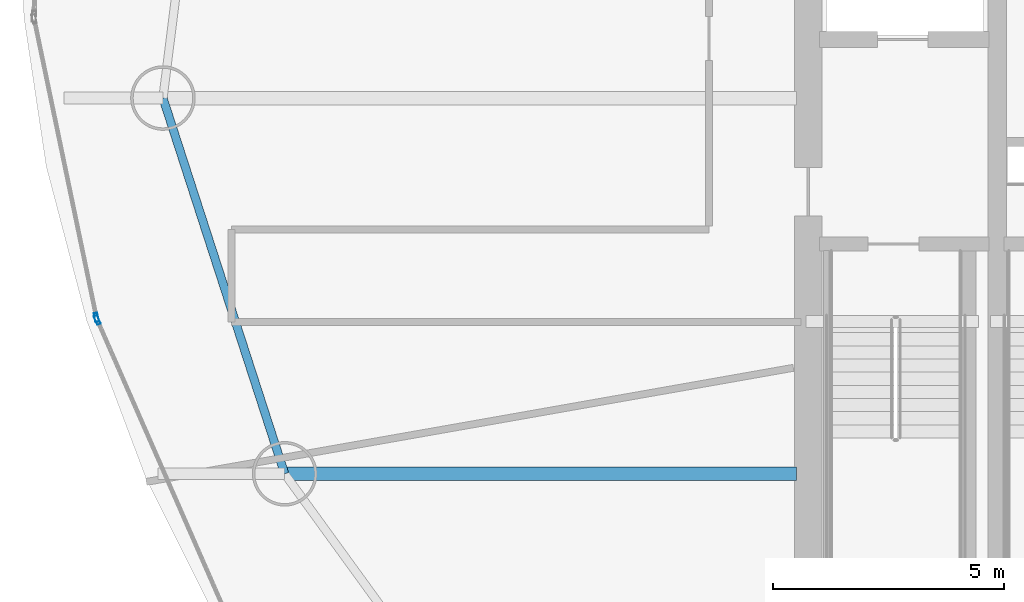
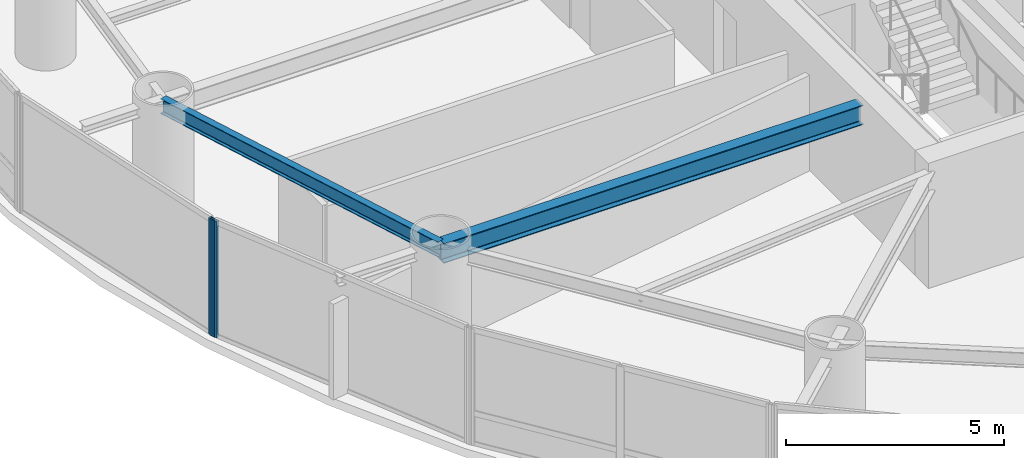
# One storey, part 6 of 23: 2 beams, 2 members, 2 elements without a shape of their own.
"""IFC4 building model written with IfcOpenShell, lengths in metres."""

from ifc_helpers import new_model, si_unit, direction, frame, origin, origin_2d, place, context, subcontext, project, spatial, hollow_rectangle, i_section, extrude, material, layer, layer_set, material_profile, profile_set, type_object, element, aggregate, save


model = new_model("IFC4")

# Units and contexts
model_context = context("Model", 3, precision=1e-05, world=origin(), true_north=direction((0.0, 1.0)))
body_context = subcontext(model_context, "Body", "Model", "MODEL_VIEW")
ifc_project = project(units=[si_unit("LENGTHUNIT", "METRE"), si_unit("AREAUNIT", "SQUARE_METRE"), si_unit("VOLUMEUNIT", "CUBIC_METRE"), si_unit("PLANEANGLEUNIT", "RADIAN"), si_unit("MASSUNIT", "GRAM", prefix="KILO")], contexts=[model_context])

# Site, building, storey
site_placement = place(None, origin())
site = spatial("IfcSite", under=ifc_project, at=site_placement, CompositionType="ELEMENT")
building_placement = place(site_placement, origin())
building = spatial("IfcBuilding", under=site, at=building_placement, Name="Bramvorn Convention Spire", CompositionType="ELEMENT")
storey_placement = place(building_placement, frame((0.0, 0.0, 158.800048828125)))
storey = spatial("IfcBuildingStorey", under=building, at=storey_placement, Name="L40", CompositionType="ELEMENT", Elevation=158.800048828125)

# Beams
ifc_material_1 = material(Name="Steel CSA G40.21 Grade 350 (350W)", Category="steel")
ifc_material_profile_1 = material_profile(ifc_material_1, i_section(OverallWidth=0.180908203125, OverallDepth=0.4169921875, WebThickness=0.010986328125, FlangeThickness=0.018310546875, FilletRadius=0.01611328125, at=origin_2d()))
ifc_profile_set_1 = profile_set([ifc_material_profile_1], Name="Steel CSA G40.21 Grade 350 (350W) - W410X85")
beam_type_1 = type_object("IfcBeamType", Name="BM-W410X85", PredefinedType="JOIST", material=ifc_profile_set_1)
beam_1_placement = place(storey_placement, frame((13.016357421875, 29.851806640625, 3.051513671875), z_axis=(0.308114853612, -0.951349166701, 0.0), x_axis=(0.951349166701, 0.308114853612, 0.0)))
element("IfcBeam", 1, at=beam_1_placement, inside=storey, type_object=beam_type_1, Name="L40 mega-column ring beam 10", PredefinedType="JOIST", context=body_context, shape_type="SweptSolid", body=[
    extrude(i_section(OverallWidth=0.180908203125, OverallDepth=0.4169921875, WebThickness=0.010986328125, FlangeThickness=0.018310546875, FilletRadius=0.01611328125, at=origin_2d()), origin(), (0.0, 0.0, 1.0), 8.5615234375),
])
ifc_material_profile_2 = material_profile(ifc_material_1, i_section(OverallWidth=0.2919921875, OverallDepth=0.551025390625, WebThickness=0.01513671875, FlangeThickness=0.0244140625, FilletRadius=0.01904296875, at=origin_2d()))
ifc_profile_set_2 = profile_set([ifc_material_profile_2], Name="Steel CSA G40.21 Grade 350 (350W) - W530X182")
beam_type_2 = type_object("IfcBeamType", Name="BM-W530X182", PredefinedType="BEAM", material=ifc_profile_set_2)
beam_2_placement = place(storey_placement, frame((26.75, 21.706787109375, 2.984375), z_axis=(-1.0, 0.0, 0.0), x_axis=(0.0, -1.0, 0.0)))
element("IfcBeam", 2, at=beam_2_placement, inside=storey, type_object=beam_type_2, Name="L40 radial floor girder MC11", PredefinedType="BEAM", context=body_context, shape_type="SweptSolid", body=[
    extrude(i_section(OverallWidth=0.2919921875, OverallDepth=0.551025390625, WebThickness=0.01513671875, FlangeThickness=0.0244140625, FilletRadius=0.01904296875, at=origin_2d()), origin(), (0.0, 0.0, 1.0), 11.095703125),
])

# Curtain wall, member
ifc_material_2 = material(Name="Anodised Bronze Unitised Curtain Wall", Category="aluminium")
ifc_layer = layer(ifc_material_2, 0.179931640625)
ifc_layer_set = layer_set([ifc_layer], Name="Anodised Bronze Unitised Curtain Wall - CW-HTL-FRIT")
curtain_wall_type = type_object("IfcCurtainWallType", Name="CW-HTL-FRIT", PredefinedType="USERDEFINED", material=ifc_layer_set)
curtain_wall_1_placement = place(storey_placement, origin())
curtain_wall_1 = element("IfcCurtainWall", 3, at=curtain_wall_1_placement, inside=storey, type_object=curtain_wall_type, Name="L40 fritted glass curtain wall 15", ObjectType="UNITISED CURTAIN WALL", PredefinedType="USERDEFINED")
ifc_material_3 = material(Name="Anodised Bronze Aluminium 6063-T6", Category="aluminium")
ifc_material_profile_3 = material_profile(ifc_material_3, hollow_rectangle(XDim=0.080078125, YDim=0.199951171875, WallThickness=0.00390625, InnerFilletRadius=0.0009765625, OuterFilletRadius=0.00390625, at=origin_2d()))
ifc_profile_set_3 = profile_set([ifc_material_profile_3], Name="Anodised Bronze Aluminium 6063-T6 - CWM80X200")
member_type = type_object("IfcMemberType", Name="CW-MUL-180", PredefinedType="MULLION", material=ifc_profile_set_3)
member_1_placement = place(storey_placement, frame((11.573974609375, 25.0966796875, 0.0), z_axis=(0.0, 0.0, 1.0), x_axis=(-0.978913587257, -0.204274787194, 0.0)))
member_1 = element("IfcMember", 4, at=member_1_placement, type_object=member_type, Name="CW2 mullion 1", PredefinedType="MULLION", context=body_context, shape_type="SweptSolid", body=[
    extrude(hollow_rectangle(XDim=0.080078125, YDim=0.199951171875, WallThickness=0.00390625, InnerFilletRadius=0.0009765625, OuterFilletRadius=0.00390625, at=origin_2d()), origin(), (0.0, 0.0, 1.0), 3.260009765625),
])
aggregate(curtain_wall_1, [member_1])

curtain_wall_2_placement = place(storey_placement, origin())
curtain_wall_2 = element("IfcCurtainWall", 5, at=curtain_wall_2_placement, inside=storey, type_object=curtain_wall_type, Name="L40 fritted glass curtain wall 16", ObjectType="UNITISED CURTAIN WALL", PredefinedType="USERDEFINED")
member_2_placement = place(storey_placement, frame((11.592041015625, 25.0400390625, 0.0), z_axis=(0.0, 0.0, 1.0), x_axis=(-0.915840415755, -0.401542442178, 0.0)))
member_2 = element("IfcMember", 6, at=member_2_placement, type_object=member_type, Name="CW2 mullion 2", PredefinedType="MULLION", context=body_context, shape_type="SweptSolid", body=[
    extrude(hollow_rectangle(XDim=0.080078125, YDim=0.199951171875, WallThickness=0.00390625, InnerFilletRadius=0.0009765625, OuterFilletRadius=0.00390625, at=origin_2d()), origin(), (0.0, 0.0, 1.0), 3.260009765625),
])
aggregate(curtain_wall_2, [member_2])

save(model, "model.ifc")
